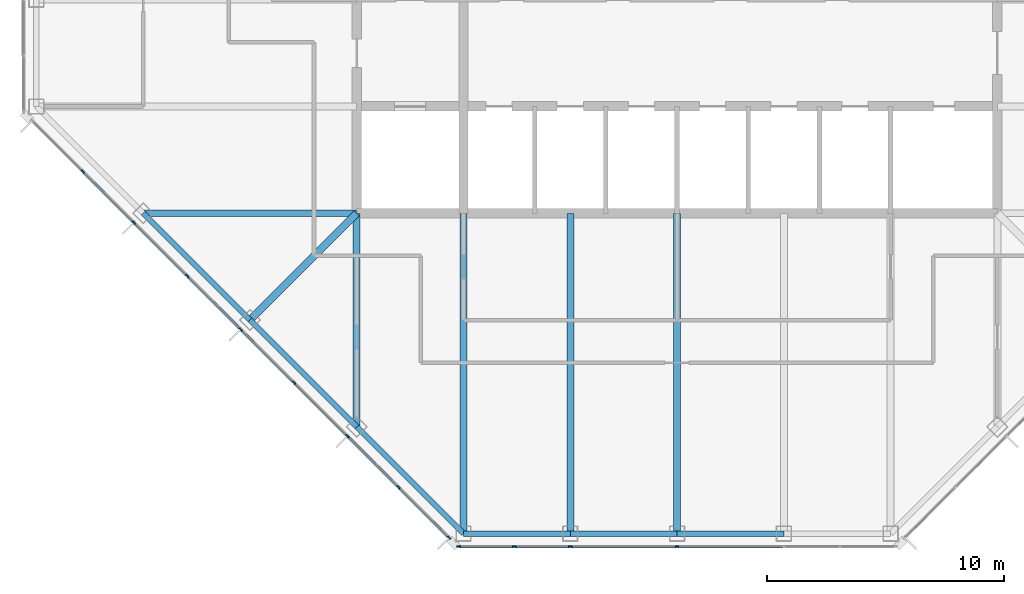
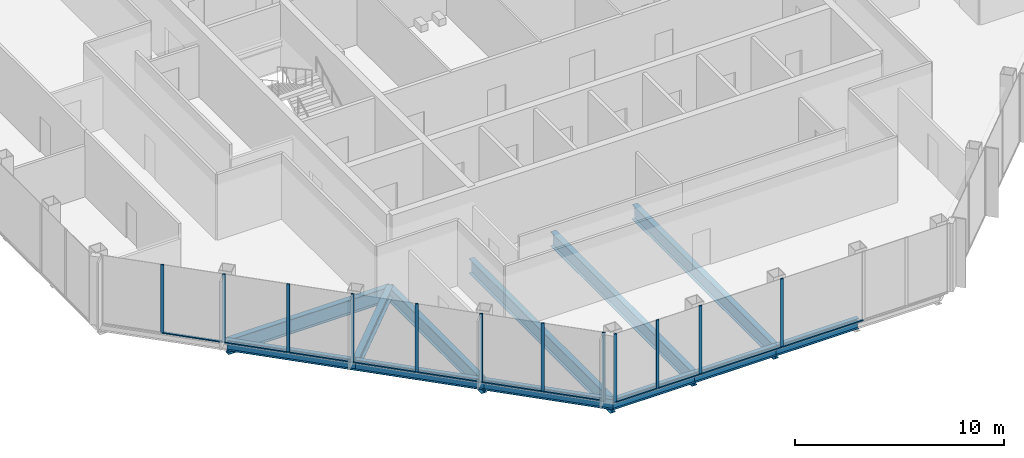
# One storey, part 2 of 14: 23 members, 12 beams, 2 elements without a shape of their own.
"""IFC4 building model written with IfcOpenShell, lengths in metres."""

from ifc_helpers import new_model, si_unit, direction, frame, origin, origin_2d, place, context, subcontext, project, spatial, rectangle, i_section, extrude, material, material_profile, profile_set, type_object, element, aggregate, save


model = new_model("IFC4")

# Units and contexts
model_context = context("Model", 3, precision=1e-05, world=origin(), true_north=direction((0.0, 1.0)))
body_context = subcontext(model_context, "Body", "Model", "MODEL_VIEW")
ifc_project = project(units=[si_unit("LENGTHUNIT", "METRE"), si_unit("AREAUNIT", "SQUARE_METRE"), si_unit("VOLUMEUNIT", "CUBIC_METRE"), si_unit("PLANEANGLEUNIT", "RADIAN"), si_unit("MASSUNIT", "GRAM", prefix="KILO")], contexts=[model_context])

# Site, building, storey
site_placement = place(None, origin())
site = spatial("IfcSite", under=ifc_project, at=site_placement, CompositionType="ELEMENT")
building_placement = place(site_placement, origin())
building = spatial("IfcBuilding", under=site, at=building_placement, Name="Corais Broadcast Tower", CompositionType="ELEMENT")
storey_placement = place(building_placement, frame((0.0, 0.0, 214.60009765625)))
storey = spatial("IfcBuildingStorey", under=building, at=storey_placement, Name="L49", CompositionType="ELEMENT", Elevation=214.60009765625)

# Beams
ifc_material_1 = material(Name="Steel ASTM A572 Grade 50", Category="steel")
ifc_material_profile_1 = material_profile(ifc_material_1, i_section(OverallWidth=0.323974609375, OverallDepth=0.611083984375, WebThickness=0.0126953125, FlangeThickness=0.01904296875, at=origin_2d()), Name="W610x155")
ifc_profile_set_1 = profile_set([ifc_material_profile_1], Name="Steel ASTM A572 Grade 50")
beam_type_1 = type_object("IfcBeamType", Name="Corner diagonal W610x155", PredefinedType="BEAM", material=ifc_profile_set_1)
beam_1_placement = place(storey_placement, frame((9.0, 9.0, -0.465576171875), z_axis=(0.707106781187, 0.707106781187, 0.0), x_axis=(-0.707106781187, 0.707106781187, 0.0)))
element("IfcBeam", 1, at=beam_1_placement, inside=storey, type_object=beam_type_1, Name="B6 C/5 to D/6", PredefinedType="BEAM", context=body_context, shape_type="SweptSolid", body=[
    extrude(i_section(OverallWidth=0.323974609375, OverallDepth=0.611083984375, WebThickness=0.0126953125, FlangeThickness=0.01904296875, at=origin_2d()), origin(), (0.0, 0.0, 1.0), 6.364013671875),
])
ifc_material_2 = material(Name="Steel ASTM A572 Grade 50", Category="steel")
ifc_material_profile_2 = material_profile(ifc_material_2, i_section(OverallWidth=0.2939453125, OverallDepth=0.85107421875, WebThickness=0.01611328125, FlangeThickness=0.02685546875, at=origin_2d()), Name="W840x226")
ifc_profile_set_2 = profile_set([ifc_material_profile_2], Name="Steel ASTM A572 Grade 50")
beam_type_2 = type_object("IfcBeamType", Name="Floor beam W840x226", PredefinedType="BEAM", material=ifc_profile_set_2)
beam_2_placement = place(storey_placement, frame((13.5, 4.5, -0.585693359375), z_axis=(0.0, 1.0, 0.0), x_axis=(-1.0, 0.0, 0.0)))
element("IfcBeam", 2, at=beam_2_placement, inside=storey, type_object=beam_type_2, Name="B1 B/6 to D/6", PredefinedType="BEAM", context=body_context, shape_type="SweptSolid", body=[
    extrude(i_section(OverallWidth=0.2939453125, OverallDepth=0.85107421875, WebThickness=0.01611328125, FlangeThickness=0.02685546875, at=origin_2d()), origin(), (0.0, 0.0, 1.0), 9.0),
])
for number, where, z_axis, x_axis, name in (
    (3, (18.0, 0.0, -0.585693359375), (0.0, 1.0, 0.0), (-1.0, 0.0, 0.0), "B1 A/7 to D/7"),
    (4, (22.5, 0.0, -0.585693359375), (0.0, 1.0, 0.0), (-1.0, 0.0, 0.0), "B1 A/8 to D/8"),
    (5, (27.0, 0.0, -0.585693359375), (0.0, 1.0, 0.0), (-1.0, 0.0, 0.0), "B1 A/9 to D/9"),
):
    element("IfcBeam", number, at=place(storey_placement, frame(where, z_axis=z_axis, x_axis=x_axis)), inside=storey, type_object=beam_type_2, Name=name, PredefinedType="BEAM", context=body_context, shape_type="SweptSolid", body=[
        extrude(i_section(OverallWidth=0.2939453125, OverallDepth=0.85107421875, WebThickness=0.01611328125, FlangeThickness=0.02685546875, at=origin_2d()), origin(), (0.0, 0.0, 1.0), 13.5),
    ])
beam_3_placement = place(storey_placement, frame((4.5, 13.5, -0.585693359375), z_axis=(1.0, 0.0, 0.0), x_axis=(0.0, 1.0, 0.0)))
element("IfcBeam", 6, at=beam_3_placement, inside=storey, type_object=beam_type_2, Name="B1 D/4 to D/6", PredefinedType="BEAM", context=body_context, shape_type="SweptSolid", body=[
    extrude(i_section(OverallWidth=0.2939453125, OverallDepth=0.85107421875, WebThickness=0.01611328125, FlangeThickness=0.02685546875, at=origin_2d()), origin(), (0.0, 0.0, 1.0), 9.0),
])

# Curtain wall, members
ifc_material_3 = material(Name="Aluminium and glass", Category="aluminium")
curtain_wall_type = type_object("IfcCurtainWallType", Name="Unitised fritted curtain wall CW3", PredefinedType="NOTDEFINED", material=ifc_material_3)
curtain_wall_1_placement = place(storey_placement, origin())
curtain_wall_1 = element("IfcCurtainWall", 7, at=curtain_wall_1_placement, inside=storey, type_object=curtain_wall_type, Name="CW3 curtain wall L49 1", PredefinedType="NOTDEFINED")
ifc_material_4 = material(Name="Aluminium 6063-T6", Category="aluminium")
ifc_material_profile_3 = material_profile(ifc_material_4, rectangle(XDim=0.06494140625, YDim=0.159912109375, at=origin_2d()), Name="Mullion CW3 65x160")
ifc_profile_set_3 = profile_set([ifc_material_profile_3], Name="Aluminium 6063-T6")
member_type_1 = type_object("IfcMemberType", Name="Mullion CW3 65x160", PredefinedType="MULLION", material=ifc_profile_set_3)
member_1_placement = place(storey_placement, frame((17.3955078125, -0.17333984375, 0.0), z_axis=(0.0, 0.0, 1.0), x_axis=(-0.707106781187, -0.707106781187, 0.0)))
member_1 = element("IfcMember", 8, at=member_1_placement, type_object=member_type_1, Name="CW3 mullion 1", PredefinedType="MULLION", context=body_context, shape_type="SweptSolid", body=[
    extrude(rectangle(XDim=0.06494140625, YDim=0.159912109375, at=origin_2d()), origin(), (0.0, 0.0, 1.0), 4.0),
])
member_2_placement = place(storey_placement, frame((15.264892578125, 1.957275390625, 0.0), z_axis=(0.0, 0.0, 1.0), x_axis=(-0.707106781187, -0.707106781187, 0.0)))
member_2 = element("IfcMember", 9, at=member_2_placement, type_object=member_type_1, Name="CW3 mullion 2", PredefinedType="MULLION", context=body_context, shape_type="SweptSolid", body=[
    extrude(rectangle(XDim=0.06494140625, YDim=0.159912109375, at=origin_2d()), origin(), (0.0, 0.0, 1.0), 4.0),
])
member_3_placement = place(storey_placement, frame((13.111083984375, 4.111083984375, 0.0), z_axis=(0.0, 0.0, 1.0), x_axis=(-0.707106781187, -0.707106781187, 0.0)))
member_3 = element("IfcMember", 10, at=member_3_placement, type_object=member_type_1, Name="CW3 mullion 3", PredefinedType="MULLION", context=body_context, shape_type="SweptSolid", body=[
    extrude(rectangle(XDim=0.06494140625, YDim=0.159912109375, at=origin_2d()), origin(), (0.0, 0.0, 1.0), 4.0),
])
member_4_placement = place(storey_placement, frame((10.861083984375, 6.361083984375, 0.0), z_axis=(0.0, 0.0, 1.0), x_axis=(-0.707106781187, -0.707106781187, 0.0)))
member_4 = element("IfcMember", 11, at=member_4_placement, type_object=member_type_1, Name="CW3 mullion 4", PredefinedType="MULLION", context=body_context, shape_type="SweptSolid", body=[
    extrude(rectangle(XDim=0.06494140625, YDim=0.159912109375, at=origin_2d()), origin(), (0.0, 0.0, 1.0), 4.0),
])
member_5_placement = place(storey_placement, frame((8.611083984375, 8.611083984375, 0.0), z_axis=(0.0, 0.0, 1.0), x_axis=(-0.707106781187, -0.707106781187, 0.0)))
member_5 = element("IfcMember", 12, at=member_5_placement, type_object=member_type_1, Name="CW3 mullion 5", PredefinedType="MULLION", context=body_context, shape_type="SweptSolid", body=[
    extrude(rectangle(XDim=0.06494140625, YDim=0.159912109375, at=origin_2d()), origin(), (0.0, 0.0, 1.0), 4.0),
])
member_6_placement = place(storey_placement, frame((6.361083984375, 10.861083984375, 0.0), z_axis=(0.0, 0.0, 1.0), x_axis=(-0.707106781187, -0.707106781187, 0.0)))
member_6 = element("IfcMember", 13, at=member_6_placement, type_object=member_type_1, Name="CW3 mullion 6", PredefinedType="MULLION", context=body_context, shape_type="SweptSolid", body=[
    extrude(rectangle(XDim=0.06494140625, YDim=0.159912109375, at=origin_2d()), origin(), (0.0, 0.0, 1.0), 4.0),
])
member_7_placement = place(storey_placement, frame((4.111083984375, 13.111083984375, 0.0), z_axis=(0.0, 0.0, 1.0), x_axis=(-0.707106781187, -0.707106781187, 0.0)))
member_7 = element("IfcMember", 14, at=member_7_placement, type_object=member_type_1, Name="CW3 mullion 7", PredefinedType="MULLION", context=body_context, shape_type="SweptSolid", body=[
    extrude(rectangle(XDim=0.06494140625, YDim=0.159912109375, at=origin_2d()), origin(), (0.0, 0.0, 1.0), 4.0),
])
member_8_placement = place(storey_placement, frame((1.957275390625, 15.264892578125, 0.0), z_axis=(0.0, 0.0, 1.0), x_axis=(-0.707106781187, -0.707106781187, 0.0)))
member_8 = element("IfcMember", 15, at=member_8_placement, type_object=member_type_1, Name="CW3 mullion 8", PredefinedType="MULLION", context=body_context, shape_type="SweptSolid", body=[
    extrude(rectangle(XDim=0.06494140625, YDim=0.159912109375, at=origin_2d()), origin(), (0.0, 0.0, 1.0), 4.0),
])

curtain_wall_2_placement = place(storey_placement, origin())
curtain_wall_2 = element("IfcCurtainWall", 16, at=curtain_wall_2_placement, inside=storey, type_object=curtain_wall_type, Name="CW3 curtain wall L49 8", PredefinedType="NOTDEFINED")
member_9_placement = place(storey_placement, frame((27.0, -0.550048828125, 0.0), z_axis=(0.0, 0.0, 1.0), x_axis=(0.0, -1.0, 0.0)))
member_9 = element("IfcMember", 17, at=member_9_placement, type_object=member_type_1, Name="CW3 mullion 4", PredefinedType="MULLION", context=body_context, shape_type="SweptSolid", body=[
    extrude(rectangle(XDim=0.06494140625, YDim=0.159912109375, at=origin_2d()), origin(), (0.0, 0.0, 1.0), 4.0),
])
member_10_placement = place(storey_placement, frame((22.5, -0.550048828125, 0.0), z_axis=(0.0, 0.0, 1.0), x_axis=(0.0, -1.0, 0.0)))
member_10 = element("IfcMember", 18, at=member_10_placement, type_object=member_type_1, Name="CW3 mullion 5", PredefinedType="MULLION", context=body_context, shape_type="SweptSolid", body=[
    extrude(rectangle(XDim=0.06494140625, YDim=0.159912109375, at=origin_2d()), origin(), (0.0, 0.0, 1.0), 4.0),
])
member_11_placement = place(storey_placement, frame((20.135986328125, -0.550048828125, 0.0), z_axis=(0.0, 0.0, 1.0), x_axis=(0.0, -1.0, 0.0)))
member_11 = element("IfcMember", 19, at=member_11_placement, type_object=member_type_1, Name="CW3 mullion 6", PredefinedType="MULLION", context=body_context, shape_type="SweptSolid", body=[
    extrude(rectangle(XDim=0.06494140625, YDim=0.159912109375, at=origin_2d()), origin(), (0.0, 0.0, 1.0), 4.0),
])
member_12_placement = place(storey_placement, frame((17.8046875, -0.550048828125, 0.0), z_axis=(0.0, 0.0, 1.0), x_axis=(0.0, -1.0, 0.0)))
member_12 = element("IfcMember", 20, at=member_12_placement, type_object=member_type_1, Name="CW3 mullion 7", PredefinedType="MULLION", context=body_context, shape_type="SweptSolid", body=[
    extrude(rectangle(XDim=0.06494140625, YDim=0.159912109375, at=origin_2d()), origin(), (0.0, 0.0, 1.0), 4.0),
])

# Beams
ifc_material_5 = material(Name="Steel ASTM A572 Grade 50", Category="steel")
ifc_material_profile_4 = material_profile(ifc_material_5, i_section(OverallWidth=0.22998046875, OverallDepth=0.616943359375, WebThickness=0.01318359375, FlangeThickness=0.022216796875, at=origin_2d()), Name="W610x140")
ifc_profile_set_4 = profile_set([ifc_material_profile_4], Name="Steel ASTM A572 Grade 50")
beam_type_3 = type_object("IfcBeamType", Name="Spandrel W610x140", PredefinedType="BEAM", material=ifc_profile_set_4)
beam_4_placement = place(storey_placement, frame((13.5, 4.5, -0.468505859375), z_axis=(0.707106781187, -0.707106781187, 0.0), x_axis=(0.707106781187, 0.707106781187, 0.0)))
element("IfcBeam", 21, at=beam_4_placement, inside=storey, type_object=beam_type_3, Name="SB3 B/6 to A/7", PredefinedType="BEAM", context=body_context, shape_type="SweptSolid", body=[
    extrude(i_section(OverallWidth=0.22998046875, OverallDepth=0.616943359375, WebThickness=0.01318359375, FlangeThickness=0.022216796875, at=origin_2d()), origin(), (0.0, 0.0, 1.0), 6.364013671875),
])
for number, where, z_axis, x_axis, name in (
    (22, (18.0, 0.0, -0.468505859375), (1.0, 0.0, 0.0), (0.0, 1.0, 0.0), "SB3 A/7 to A/8"),
    (23, (22.5, 0.0, -0.468505859375), (1.0, 0.0, 0.0), (0.0, 1.0, 0.0), "SB3 A/8 to A/9"),
    (24, (27.0, 0.0, -0.468505859375), (1.0, 0.0, 0.0), (0.0, 1.0, 0.0), "SB3 A/9 to A/10"),
):
    element("IfcBeam", number, at=place(storey_placement, frame(where, z_axis=z_axis, x_axis=x_axis)), inside=storey, type_object=beam_type_3, Name=name, PredefinedType="BEAM", context=body_context, shape_type="SweptSolid", body=[
        extrude(i_section(OverallWidth=0.22998046875, OverallDepth=0.616943359375, WebThickness=0.01318359375, FlangeThickness=0.022216796875, at=origin_2d()), origin(), (0.0, 0.0, 1.0), 4.5),
    ])
for number, where, z_axis, x_axis, name in (
    (25, (4.5, 13.5, -0.468505859375), (0.707106781187, -0.707106781187, 0.0), (0.707106781187, 0.707106781187, 0.0), "SB3 D/4 to C/5"),
    (26, (9.0, 9.0, -0.468505859375), (0.707106781187, -0.707106781187, 0.0), (0.707106781187, 0.707106781187, 0.0), "SB3 C/5 to B/6"),
):
    element("IfcBeam", number, at=place(storey_placement, frame(where, z_axis=z_axis, x_axis=x_axis)), inside=storey, type_object=beam_type_3, Name=name, PredefinedType="BEAM", context=body_context, shape_type="SweptSolid", body=[
        extrude(i_section(OverallWidth=0.22998046875, OverallDepth=0.616943359375, WebThickness=0.01318359375, FlangeThickness=0.022216796875, at=origin_2d()), origin(), (0.0, 0.0, 1.0), 6.364013671875),
    ])

# Member
ifc_material_6 = material(Name="Aluminium 6063-T6", Category="aluminium")
ifc_material_profile_5 = material_profile(ifc_material_6, rectangle(XDim=0.1201171875, YDim=0.06494140625, at=origin_2d()), Name="Transom CW3 65x120")
ifc_profile_set_5 = profile_set([ifc_material_profile_5], Name="Aluminium 6063-T6")
member_type_2 = type_object("IfcMemberType", Name="Transom CW3 65x120", PredefinedType="USERDEFINED", material=ifc_profile_set_5)
member_13_placement = place(storey_placement, frame((17.37255859375, -0.150390625, 0.032470703125), z_axis=(-0.707106781187, 0.707106781187, 0.0), x_axis=(-0.707106781187, -0.707106781187, 0.0)))
member_13 = element("IfcMember", 27, at=member_13_placement, type_object=member_type_2, Name="CW3 transom 1.1", ObjectType="TRANSOM", PredefinedType="USERDEFINED", context=body_context, shape_type="SweptSolid", body=[
    extrude(rectangle(XDim=0.1201171875, YDim=0.06494140625, at=origin_2d()), origin(), (0.0, 0.0, 1.0), 2.9482421875),
])

member_14_placement = place(storey_placement, frame((15.241943359375, 1.980224609375, 0.032470703125), z_axis=(-0.707106781187, 0.707106781187, 0.0), x_axis=(-0.707106781187, -0.707106781187, 0.0)))
member_14 = element("IfcMember", 28, at=member_14_placement, type_object=member_type_2, Name="CW3 transom 2.1", ObjectType="TRANSOM", PredefinedType="USERDEFINED", context=body_context, shape_type="SweptSolid", body=[
    extrude(rectangle(XDim=0.1201171875, YDim=0.06494140625, at=origin_2d()), origin(), (0.0, 0.0, 1.0), 2.98095703125),
])

member_15_placement = place(storey_placement, frame((13.088134765625, 4.134033203125, 0.032470703125), z_axis=(-0.707106781187, 0.707106781187, 0.0), x_axis=(-0.707106781187, -0.707106781187, 0.0)))
member_15 = element("IfcMember", 29, at=member_15_placement, type_object=member_type_2, Name="CW3 transom 3.1", ObjectType="TRANSOM", PredefinedType="USERDEFINED", context=body_context, shape_type="SweptSolid", body=[
    extrude(rectangle(XDim=0.1201171875, YDim=0.06494140625, at=origin_2d()), origin(), (0.0, 0.0, 1.0), 3.1171875),
])

member_16_placement = place(storey_placement, frame((10.838134765625, 6.384033203125, 0.032470703125), z_axis=(-0.707106781187, 0.707106781187, 0.0), x_axis=(-0.707106781187, -0.707106781187, 0.0)))
member_16 = element("IfcMember", 30, at=member_16_placement, type_object=member_type_2, Name="CW3 transom 4.1", ObjectType="TRANSOM", PredefinedType="USERDEFINED", context=body_context, shape_type="SweptSolid", body=[
    extrude(rectangle(XDim=0.1201171875, YDim=0.06494140625, at=origin_2d()), origin(), (0.0, 0.0, 1.0), 3.1171875),
])

member_17_placement = place(storey_placement, frame((8.588134765625, 8.634033203125, 0.032470703125), z_axis=(-0.707106781187, 0.707106781187, 0.0), x_axis=(-0.707106781187, -0.707106781187, 0.0)))
member_17 = element("IfcMember", 31, at=member_17_placement, type_object=member_type_2, Name="CW3 transom 5.1", ObjectType="TRANSOM", PredefinedType="USERDEFINED", context=body_context, shape_type="SweptSolid", body=[
    extrude(rectangle(XDim=0.1201171875, YDim=0.06494140625, at=origin_2d()), origin(), (0.0, 0.0, 1.0), 3.1171875),
])

member_18_placement = place(storey_placement, frame((6.338134765625, 10.884033203125, 0.032470703125), z_axis=(-0.707106781187, 0.707106781187, 0.0), x_axis=(-0.707106781187, -0.707106781187, 0.0)))
member_18 = element("IfcMember", 32, at=member_18_placement, type_object=member_type_2, Name="CW3 transom 6.1", ObjectType="TRANSOM", PredefinedType="USERDEFINED", context=body_context, shape_type="SweptSolid", body=[
    extrude(rectangle(XDim=0.1201171875, YDim=0.06494140625, at=origin_2d()), origin(), (0.0, 0.0, 1.0), 3.1171875),
])

member_19_placement = place(storey_placement, frame((4.088134765625, 13.134033203125, 0.032470703125), z_axis=(-0.707065828661, 0.70714773134, 0.0), x_axis=(-0.70714773134, -0.707065828661, 0.0)))
member_19 = element("IfcMember", 33, at=member_19_placement, type_object=member_type_2, Name="CW3 transom 7.1", ObjectType="TRANSOM", PredefinedType="USERDEFINED", context=body_context, shape_type="SweptSolid", body=[
    extrude(rectangle(XDim=0.1201171875, YDim=0.06494140625, at=origin_2d()), origin(), (0.0, 0.0, 1.0), 2.98095703125),
])

aggregate(curtain_wall_1, [member_1, member_2, member_3, member_4, member_5, member_6, member_7, member_8, member_13, member_14, member_15, member_16, member_17, member_18, member_19])

member_20_placement = place(storey_placement, frame((31.467529296875, -0.550048828125, 0.032470703125), z_axis=(-1.0, 0.0, 0.0), x_axis=(0.0, -1.0, 0.0)))
member_20 = element("IfcMember", 34, at=member_20_placement, type_object=member_type_2, Name="CW3 transom 3.1", ObjectType="TRANSOM", PredefinedType="USERDEFINED", context=body_context, shape_type="SweptSolid", body=[
    extrude(rectangle(XDim=0.1201171875, YDim=0.06494140625, at=origin_2d()), origin(), (0.0, 0.0, 1.0), 4.43505859375),
])

member_21_placement = place(storey_placement, frame((26.967529296875, -0.550048828125, 0.032470703125), z_axis=(-1.0, 0.0, 0.0), x_axis=(0.0, -1.0, 0.0)))
member_21 = element("IfcMember", 35, at=member_21_placement, type_object=member_type_2, Name="CW3 transom 4.1", ObjectType="TRANSOM", PredefinedType="USERDEFINED", context=body_context, shape_type="SweptSolid", body=[
    extrude(rectangle(XDim=0.1201171875, YDim=0.06494140625, at=origin_2d()), origin(), (0.0, 0.0, 1.0), 4.43505859375),
])

member_22_placement = place(storey_placement, frame((22.467529296875, -0.550048828125, 0.032470703125), z_axis=(-1.0, 0.0, 0.0), x_axis=(0.0, -1.0, 0.0)))
member_22 = element("IfcMember", 36, at=member_22_placement, type_object=member_type_2, Name="CW3 transom 5.1", ObjectType="TRANSOM", PredefinedType="USERDEFINED", context=body_context, shape_type="SweptSolid", body=[
    extrude(rectangle(XDim=0.1201171875, YDim=0.06494140625, at=origin_2d()), origin(), (0.0, 0.0, 1.0), 2.298828125),
])

member_23_placement = place(storey_placement, frame((20.103515625, -0.550048828125, 0.032470703125), z_axis=(-1.0, 0.0, 0.0), x_axis=(0.0, -1.0, 0.0)))
member_23 = element("IfcMember", 37, at=member_23_placement, type_object=member_type_2, Name="CW3 transom 6.1", ObjectType="TRANSOM", PredefinedType="USERDEFINED", context=body_context, shape_type="SweptSolid", body=[
    extrude(rectangle(XDim=0.1201171875, YDim=0.06494140625, at=origin_2d()), origin(), (0.0, 0.0, 1.0), 2.266357421875),
])

aggregate(curtain_wall_2, [member_9, member_10, member_11, member_12, member_20, member_21, member_22, member_23])

save(model, "model.ifc")
